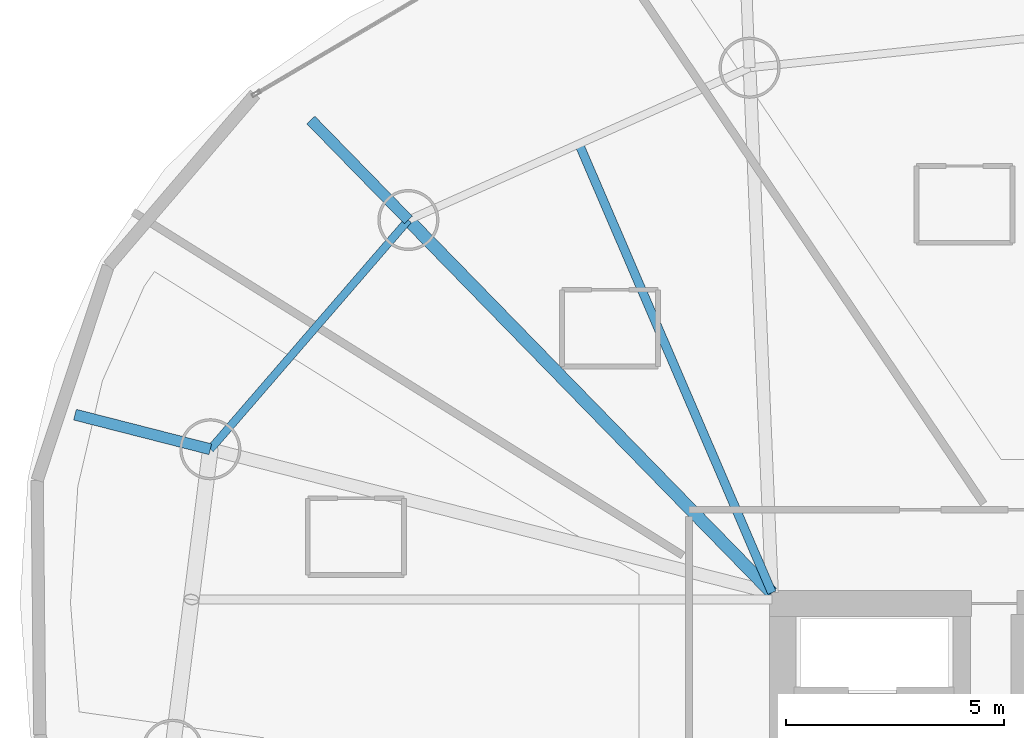
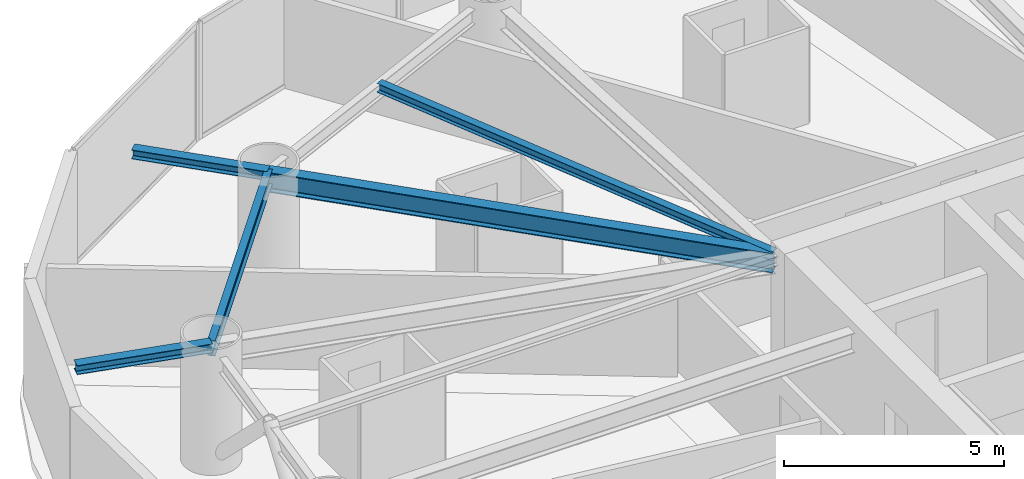
# One storey, part 10 of 24: 5 beams.
"""IFC4 building model written with IfcOpenShell, lengths in metres."""

import ifcopenshell
import ifcopenshell.guid

model = None  # the IFC model being written
_history = None  # IfcOwnerHistory: only IFC2X3 demands one
_inside = {}  # id of a spatial element -> (the spatial element, [elements in it])
_under = {}  # id of a project, library or spatial element -> (it, [spatial elements below it])
_declared = {}  # id of a project -> (the project, [libraries it declares])
_typed = {}  # id of a type object -> (the type object, [elements of that type])
_made_of = {}  # id of a material, layer set ... -> (it, [elements and type objects made of it])


def new_model(schema):
    """Start an empty IFC model of exactly this schema.

    Asked for "IFC4X3", IfcOpenShell would pick the latest addendum, in which some entities
    have other attributes; the version numbers below select the first issue.
    IFC2X3 requires an IfcOwnerHistory on every rooted entity: one is made here for all.
    """
    global model, _history
    if schema == "IFC4X3":
        model = ifcopenshell.file(schema_version=(4, 3, 0, 0))
    else:
        model = ifcopenshell.file(schema=schema)
    _inside.clear()
    _under.clear()
    _declared.clear()
    _typed.clear()
    _made_of.clear()
    _history = None
    if model.schema == "IFC2X3":
        org = make("IfcOrganization", Name="unknown")
        user = make(
            "IfcPersonAndOrganization",
            ThePerson=make("IfcPerson", FamilyName="unknown"),
            TheOrganization=org,
        )
        app = make(
            "IfcApplication",
            ApplicationDeveloper=org,
            Version="unknown",
            ApplicationFullName="unknown",
            ApplicationIdentifier="unknown",
        )
        _history = make(
            "IfcOwnerHistory",
            OwningUser=user,
            OwningApplication=app,
            ChangeAction="ADDED",
            CreationDate=0,
        )
    return model


def make(cls, **values):
    """One entity of the class cls with the attributes given. An attribute that is None is left unset."""
    return model.create_entity(
        cls, **{name: value for name, value in values.items() if value is not None}
    )


def rooted(cls, **values):
    """An entity with a GlobalId (a new one), such as an element, a storey or a relation."""
    return make(cls, GlobalId=ifcopenshell.guid.new(), OwnerHistory=_history, **values)


def si_unit(unit_type, name, prefix=None):
    """IfcSIUnit, for example si_unit("LENGTHUNIT", "METRE", prefix="MILLI")."""
    return make("IfcSIUnit", UnitType=unit_type, Prefix=prefix, Name=name)


def assignment(units):
    """IfcUnitAssignment: the units of a project."""
    return None if units is None else make("IfcUnitAssignment", Units=units)


def point(xyz):
    """IfcCartesianPoint."""
    return None if xyz is None else make("IfcCartesianPoint", Coordinates=xyz)


def direction(xyz):
    """IfcDirection."""
    return None if xyz is None else make("IfcDirection", DirectionRatios=xyz)


def frame(location, z_axis=None, x_axis=None):
    """IfcAxis2Placement3D, a coordinate frame: its origin and axes. An axis left out is left unset."""
    return make(
        "IfcAxis2Placement3D",
        Location=point(location),
        Axis=direction(z_axis),
        RefDirection=direction(x_axis),
    )


def frame_2d(location, x_axis=None):
    """IfcAxis2Placement2D, a coordinate frame in the plane: its origin and x axis."""
    return make(
        "IfcAxis2Placement2D", Location=point(location), RefDirection=direction(x_axis)
    )


def origin():
    """The frame at (0, 0, 0) with its axes left unset."""
    return frame((0.0, 0.0, 0.0))


def origin_2d():
    """The frame at (0, 0) in the plane with its x axis left unset."""
    return frame_2d((0.0, 0.0))


def place(relative_to, where):
    """IfcLocalPlacement: puts the frame where relative to a parent placement (None: the world)."""
    return make(
        "IfcLocalPlacement", PlacementRelTo=relative_to, RelativePlacement=where
    )


def context(
    kind, dimensions, precision=None, world=None, true_north=None, identifier=None
):
    """IfcGeometricRepresentationContext, for example the 3D "Model" context."""
    return make(
        "IfcGeometricRepresentationContext",
        ContextIdentifier=identifier,
        ContextType=kind,
        CoordinateSpaceDimension=dimensions,
        Precision=precision,
        WorldCoordinateSystem=world,
        TrueNorth=true_north,
    )


def subcontext(parent, identifier, kind, view, scale=None):
    """IfcGeometricRepresentationSubContext, for example "Body" below "Model"."""
    return make(
        "IfcGeometricRepresentationSubContext",
        ContextIdentifier=identifier,
        ContextType=kind,
        ParentContext=parent,
        TargetScale=scale,
        TargetView=view,
    )


def project(units=None, contexts=None):
    """IfcProject with its units and contexts."""
    return rooted(
        "IfcProject",
        Name="project",
        RepresentationContexts=contexts,
        UnitsInContext=assignment(units),
    )


def spatial(cls, under=None, at=None, **own):
    """A site, building, storey or space (cls), placed at a placement, below another one or the project."""
    s = rooted(cls, ObjectPlacement=at, **own)
    if under is not None:
        _under.setdefault(under.id(), (under, []))[1].append(s)
    return s


def profile(cls, at=None, kind="AREA", **sizes):
    """A parametric profile (cls). Its sizes go by their IFC names, for example OverallWidth=200.0."""
    return make(cls, ProfileType=kind, Position=at, **sizes)


def i_section(**sizes):
    """IfcIShapeProfileDef."""
    return profile("IfcIShapeProfileDef", **sizes)


def extrude(swept, where, along, depth):
    """IfcExtrudedAreaSolid: the profile swept, set in the frame where, extruded along a direction by depth."""
    return make(
        "IfcExtrudedAreaSolid",
        SweptArea=swept,
        Position=where,
        ExtrudedDirection=direction(along),
        Depth=depth,
    )


def shape(context_of_items, identifier, shape_type, items):
    """IfcShapeRepresentation: the items that make up one representation, for example the "Body"."""
    return make(
        "IfcShapeRepresentation",
        ContextOfItems=context_of_items,
        RepresentationIdentifier=identifier,
        RepresentationType=shape_type,
        Items=items,
    )


def material(Name=None, Category=None):
    """IfcMaterial."""
    return make("IfcMaterial", Name=Name, Category=Category)


def material_profile(
    of_material, cross_section, Name=None, Category=None, Priority=None
):
    """IfcMaterialProfile: a cross section and its material."""
    return make(
        "IfcMaterialProfile",
        Name=Name,
        Material=of_material,
        Profile=cross_section,
        Priority=Priority,
        Category=Category,
    )


def profile_set(profiles, Name=None, composite=None):
    """IfcMaterialProfileSet."""
    return make(
        "IfcMaterialProfileSet",
        Name=Name,
        MaterialProfiles=profiles,
        CompositeProfile=composite,
    )


def made_of(thing, what):
    """Note that an element or type object is made of a material, layer set ...; save() writes the relation."""
    if what is not None:
        _made_of.setdefault(what.id(), (what, []))[1].append(thing)
    return thing


def type_object(cls, material=None, **own):
    """A type object (cls), such as IfcWallType, which elements share."""
    return made_of(rooted(cls, **own), material)


def element(
    cls,
    number,
    at=None,
    inside=None,
    cuts=None,
    type_object=None,
    material=None,
    context=None,
    identifier="Body",
    shape_type=None,
    held_by="IfcProductDefinitionShape",
    body=None,
    shapes=None,
    **own,
):
    """One element of the class cls, such as IfcWall. Its Tag is "e" and its number.

    at: its placement. inside: the storey or other place that contains it. cuts: it is an
    opening in that element (IfcRelVoidsElement). A single representation is given by context,
    identifier, shape_type and body (its items); several are given by shapes. held_by: the class
    of the entity that holds the representations. save() writes the other relations.
    """
    e = rooted(cls, Tag="e%d" % number, ObjectPlacement=at, **own)
    if body is not None:
        shapes = [shape(context, identifier, shape_type, body)]
    if shapes is not None:
        e.Representation = make(held_by, Representations=shapes)
    if inside is not None:
        _inside.setdefault(inside.id(), (inside, []))[1].append(e)
    if cuts is not None:
        rooted(
            "IfcRelVoidsElement", RelatingBuildingElement=cuts, RelatedOpeningElement=e
        )
    if type_object is not None:
        _typed.setdefault(type_object.id(), (type_object, []))[1].append(e)
    return made_of(e, material)


def aggregate(whole, parts):
    """IfcRelAggregates: a whole, such as a stair, and the parts it consists of."""
    return rooted("IfcRelAggregates", RelatingObject=whole, RelatedObjects=parts)


def save(model, path):
    """Write the relations noted so far, then the file.

    IfcRelAggregates (storeys below a building ...), IfcRelContainedInSpatialStructure (elements
    in a storey), IfcRelDefinesByType, IfcRelAssociatesMaterial and IfcRelDeclares: one each for
    every whole, place, type object, material and project.
    """
    for whole, parts in _under.values():
        aggregate(whole, parts)
    for where, things in _inside.values():
        rooted(
            "IfcRelContainedInSpatialStructure",
            RelatedElements=things,
            RelatingStructure=where,
        )
    for kind, things in _typed.values():
        rooted("IfcRelDefinesByType", RelatedObjects=things, RelatingType=kind)
    for what, things in _made_of.values():
        rooted("IfcRelAssociatesMaterial", RelatedObjects=things, RelatingMaterial=what)
    for by, libraries in _declared.values():
        rooted("IfcRelDeclares", RelatingContext=by, RelatedDefinitions=libraries)
    model.write(path)


model = new_model("IFC4")

# Units and contexts
model_context = context("Model", 3, precision=1e-05, world=origin(), true_north=direction((0.0, 1.0)))
body_context = subcontext(model_context, "Body", "Model", "MODEL_VIEW")
ifc_project = project(units=[si_unit("LENGTHUNIT", "METRE"), si_unit("AREAUNIT", "SQUARE_METRE"), si_unit("VOLUMEUNIT", "CUBIC_METRE"), si_unit("PLANEANGLEUNIT", "RADIAN"), si_unit("MASSUNIT", "GRAM", prefix="KILO")], contexts=[model_context])

# Site, building, storey
site_placement = place(None, origin())
site = spatial("IfcSite", under=ifc_project, at=site_placement, CompositionType="ELEMENT")
building_placement = place(site_placement, origin())
building = spatial("IfcBuilding", under=site, at=building_placement, Name="Bramvorn Convention Spire", CompositionType="ELEMENT")
storey_placement = place(building_placement, frame((0.0, 0.0, 148.300048828125)))
storey = spatial("IfcBuildingStorey", under=building, at=storey_placement, Name="L37", CompositionType="ELEMENT", Elevation=148.300048828125)

# Beams
ifc_material = material(Name="Steel CSA G40.21 Grade 350 (350W)", Category="steel")
ifc_material_profile_1 = material_profile(ifc_material, i_section(OverallWidth=0.201904296875, OverallDepth=0.2470703125, WebThickness=0.00732421875, FlangeThickness=0.010986328125, FilletRadius=0.011962890625, at=origin_2d()))
ifc_profile_set_1 = profile_set([ifc_material_profile_1], Name="Steel CSA G40.21 Grade 350 (350W) - W250X49")
beam_type_1 = type_object("IfcBeamType", Name="BM-W250X49", PredefinedType="JOIST", material=ifc_profile_set_1)
beam_1_placement = place(storey_placement, frame((26.75, 33.449951171875, 3.136474609375), z_axis=(-0.394937739893, 0.918707886985, 0.0), x_axis=(-0.918707886985, -0.394937739893, 0.0)))
element("IfcBeam", 1, at=beam_1_placement, inside=storey, type_object=beam_type_1, Name="L37 composite floor joist 07", PredefinedType="JOIST", context=body_context, shape_type="SweptSolid", body=[
    extrude(i_section(OverallWidth=0.201904296875, OverallDepth=0.2470703125, WebThickness=0.00732421875, FlangeThickness=0.010986328125, FilletRadius=0.011962890625, at=origin_2d()), origin(), (0.0, 0.0, 1.0), 11.19384765625),
])
ifc_material_profile_2 = material_profile(ifc_material, i_section(OverallWidth=0.25390625, OverallDepth=0.2529296875, WebThickness=0.008544921875, FlangeThickness=0.01416015625, FilletRadius=0.011962890625, at=origin_2d()))
ifc_profile_set_2 = profile_set([ifc_material_profile_2], Name="Steel CSA G40.21 Grade 350 (350W) - W250X73")
beam_type_2 = type_object("IfcBeamType", Name="BM-W250X73", PredefinedType="BEAM", material=ifc_profile_set_2)
for number, where, z_axis, x_axis, name in (
    (2, (18.420166015625, 41.9892578125, 3.133544921875), (-0.69827808588, 0.715826595468, 0.0), (-0.715826595468, -0.69827808588, 0.0), "L37 slab-edge cantilever tip beam MC08"),
    (3, (13.88232421875, 36.73779296875, 3.133544921875), (-0.968868276357, 0.24757678217, 0.0), (-0.24757678217, -0.968868276357, 0.0), "L37 slab-edge cantilever tip beam MC09"),
):
    element("IfcBeam", number, at=place(storey_placement, frame(where, z_axis=z_axis, x_axis=x_axis)), inside=storey, type_object=beam_type_2, Name=name, PredefinedType="BEAM", context=body_context, shape_type="SweptSolid", body=[
        extrude(i_section(OverallWidth=0.25390625, OverallDepth=0.2529296875, WebThickness=0.008544921875, FlangeThickness=0.01416015625, FilletRadius=0.011962890625, at=origin_2d()), origin(), (0.0, 0.0, 1.0), 3.199951171875),
    ])
ifc_material_profile_3 = material_profile(ifc_material, i_section(OverallWidth=0.180908203125, OverallDepth=0.4169921875, WebThickness=0.010986328125, FlangeThickness=0.018310546875, FilletRadius=0.01611328125, at=origin_2d()))
ifc_profile_set_3 = profile_set([ifc_material_profile_3], Name="Steel CSA G40.21 Grade 350 (350W) - W410X85")
beam_type_3 = type_object("IfcBeamType", Name="BM-W410X85", PredefinedType="JOIST", material=ifc_profile_set_3)
beam_2_placement = place(storey_placement, frame((18.420166015625, 41.9892578125, 3.051513671875), z_axis=(-0.653824993824, -0.756645807132, 0.0), x_axis=(0.756645807132, -0.653824993824, 0.0)))
element("IfcBeam", 4, at=beam_2_placement, inside=storey, type_object=beam_type_3, Name="L37 mega-column ring beam 08", PredefinedType="JOIST", context=body_context, shape_type="SweptSolid", body=[
    extrude(i_section(OverallWidth=0.180908203125, OverallDepth=0.4169921875, WebThickness=0.010986328125, FlangeThickness=0.018310546875, FilletRadius=0.01611328125, at=origin_2d()), origin(), (0.0, 0.0, 1.0), 6.9404296875),
])
ifc_material_profile_4 = material_profile(ifc_material, i_section(OverallWidth=0.2919921875, OverallDepth=0.551025390625, WebThickness=0.01513671875, FlangeThickness=0.0244140625, FilletRadius=0.01904296875, at=origin_2d()))
ifc_profile_set_4 = profile_set([ifc_material_profile_4], Name="Steel CSA G40.21 Grade 350 (350W) - W530X182")
beam_type_4 = type_object("IfcBeamType", Name="BM-W530X182", PredefinedType="BEAM", material=ifc_profile_set_4)
beam_3_placement = place(storey_placement, frame((26.75, 33.449951171875, 2.984375), z_axis=(-0.698272445638, 0.715832097397, 0.0), x_axis=(-0.715832097397, -0.698272445638, 0.0)))
element("IfcBeam", 5, at=beam_3_placement, inside=storey, type_object=beam_type_4, Name="L37 radial floor girder MC08", PredefinedType="BEAM", context=body_context, shape_type="SweptSolid", body=[
    extrude(i_section(OverallWidth=0.2919921875, OverallDepth=0.551025390625, WebThickness=0.01513671875, FlangeThickness=0.0244140625, FilletRadius=0.01904296875, at=origin_2d()), origin(), (0.0, 0.0, 1.0), 11.92919921875),
])

save(model, "model.ifc")
